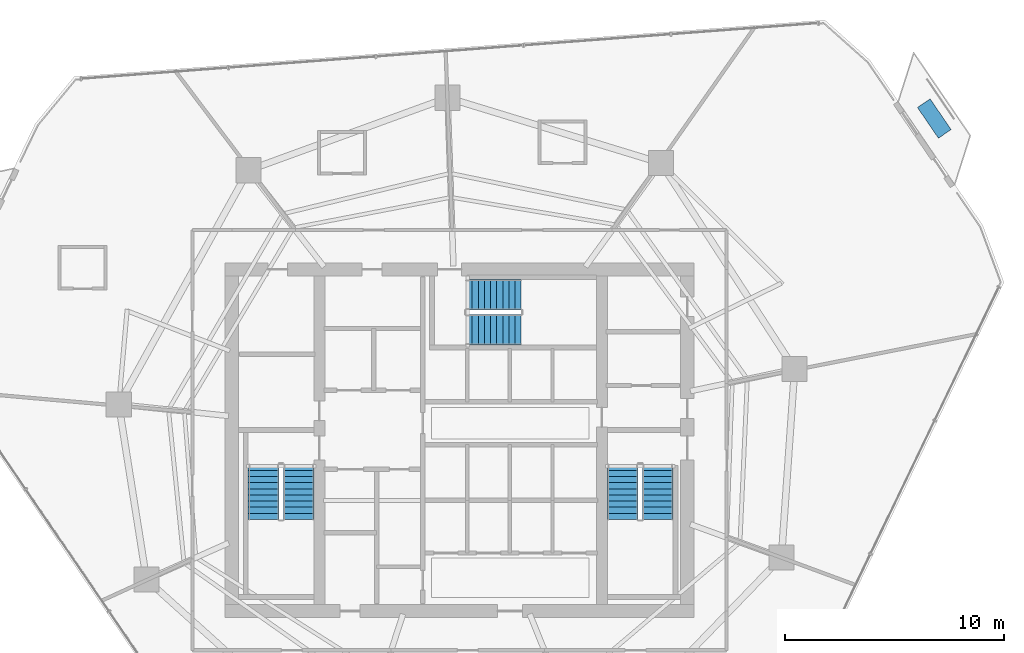
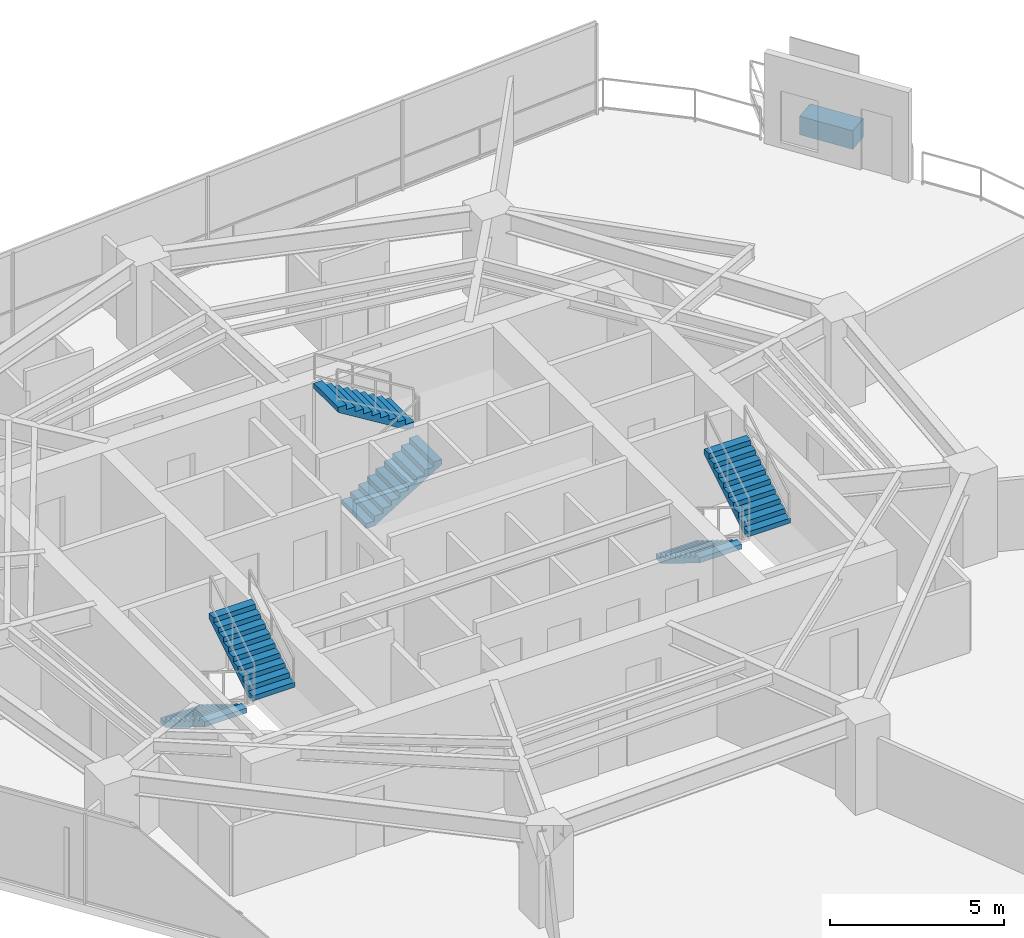
# One storey, part 27 of 30: 6 stair flights, 1 discrete accessory, 3 elements without a shape of their own.
"""IFC4 building model written with IfcOpenShell, lengths in metres."""

from ifc_helpers import new_model, si_unit, direction, frame, origin, origin_2d, place, context, subcontext, project, spatial, polyline, rectangle, outline, extrude, material, type_object, element, aggregate, save


model = new_model("IFC4")

# Units and contexts
model_context = context("Model", 3, precision=1e-05, world=origin(), true_north=direction((0.0, 1.0)))
body_context = subcontext(model_context, "Body", "Model", "MODEL_VIEW")
ifc_project = project(units=[si_unit("LENGTHUNIT", "METRE"), si_unit("AREAUNIT", "SQUARE_METRE"), si_unit("VOLUMEUNIT", "CUBIC_METRE"), si_unit("PLANEANGLEUNIT", "RADIAN"), si_unit("MASSUNIT", "GRAM", prefix="KILO")], contexts=[model_context])

# Site, building, storey
site_placement = place(None, origin())
site = spatial("IfcSite", under=ifc_project, at=site_placement, CompositionType="ELEMENT")
building_placement = place(site_placement, origin())
building = spatial("IfcBuilding", under=site, at=building_placement, Name="Qarnah Convention Tower", CompositionType="ELEMENT")
storey_placement = place(building_placement, frame((0.0, 0.0, 83.25)))
storey = spatial("IfcBuildingStorey", under=building, at=storey_placement, Name="L21", CompositionType="ELEMENT", Elevation=83.25)

# Stair, stair flights
ifc_material_1 = material(Name="Concrete C50/60", Category="concrete")
stair_type = type_object("IfcStairType", Name="STR-HTL", PredefinedType="HALF_TURN_STAIR", material=ifc_material_1)
stair_1_placement = place(storey_placement, origin())
stair_1 = element("IfcStair", 1, at=stair_1_placement, inside=storey, type_object=stair_type, Name="L21 Core exit stair ST-1", PredefinedType="HALF_TURN_STAIR")
stair_flight_type = type_object("IfcStairFlightType", Name="FLT-HTL", PredefinedType="STRAIGHT", material=ifc_material_1)
stair_flight_1_placement = place(storey_placement, frame((28.25, 25.300048828125, 0.0), z_axis=(0.0, 0.0, 1.0), x_axis=(0.0, -1.0, 0.0)))
stair_flight_1 = element("IfcStairFlight", 2, at=stair_flight_1_placement, type_object=stair_flight_type, Name="ST-1 flight 1", NumberOfRisers=10, NumberOfTreads=9, PredefinedType="STRAIGHT", RiserHeight=0.1725, TreadLength=0.28, context=body_context, shape_type="SweptSolid", body=[
    extrude(outline(polyline([(0.0, 0.0), (0.0, 0.172607421875), (0.280029296875, 0.172607421875), (0.280029296875, 0.344970703125), (0.56005859375, 0.344970703125), (0.56005859375, 0.517578125), (0.840087890625, 0.517578125), (0.840087890625, 0.68994140625), (1.1201171875, 0.68994140625), (1.1201171875, 0.862548828125), (1.39990234375, 0.862548828125), (1.39990234375, 1.034912109375), (1.679931640625, 1.034912109375), (1.679931640625, 1.20751953125), (1.9599609375, 1.20751953125), (1.9599609375, 1.3798828125), (2.239990234375, 1.3798828125), (2.239990234375, 1.552490234375), (2.52001953125, 1.552490234375), (2.52001953125, 1.72509765625), (2.52001953125, 1.37646484375), (0.285888671875, 0.0), (0.0, 0.0)])), frame((0.0, 0.699951171875, 0.0), z_axis=(0.0, -1.0, 0.0), x_axis=(1.0, 0.0, 0.0)), (0.0, 0.0, 1.0), 1.39990234375),
])
stair_flight_2_placement = place(storey_placement, frame((29.85009765625, 22.780029296875, 1.72509765625), z_axis=(0.0, 0.0, 1.0), x_axis=(0.0, 1.0, 0.0)))
stair_flight_2 = element("IfcStairFlight", 3, at=stair_flight_2_placement, type_object=stair_flight_type, Name="ST-1 flight 2", NumberOfRisers=10, NumberOfTreads=9, PredefinedType="STRAIGHT", RiserHeight=0.1725, TreadLength=0.28, context=body_context, shape_type="SweptSolid", body=[
    extrude(outline(polyline([(0.0, 0.0), (0.0, 0.172607421875), (0.280029296875, 0.172607421875), (0.280029296875, 0.344970703125), (0.56005859375, 0.344970703125), (0.56005859375, 0.517578125), (0.840087890625, 0.517578125), (0.840087890625, 0.68994140625), (1.1201171875, 0.68994140625), (1.1201171875, 0.862548828125), (1.39990234375, 0.862548828125), (1.39990234375, 1.034912109375), (1.679931640625, 1.034912109375), (1.679931640625, 1.20751953125), (1.9599609375, 1.20751953125), (1.9599609375, 1.3798828125), (2.239990234375, 1.3798828125), (2.239990234375, 1.552490234375), (2.52001953125, 1.552490234375), (2.52001953125, 1.72509765625), (2.52001953125, 1.37646484375), (0.285888671875, 0.0), (0.0, 0.0)])), frame((0.0, 0.699951171875, 0.0), z_axis=(0.0, -1.0, 0.0), x_axis=(1.0, 0.0, 0.0)), (0.0, 0.0, 1.0), 1.39990234375),
])
aggregate(stair_1, [stair_flight_1, stair_flight_2])

stair_2_placement = place(storey_placement, origin())
stair_2 = element("IfcStair", 4, at=stair_2_placement, inside=storey, type_object=stair_type, Name="L21 Core exit stair ST-2", PredefinedType="HALF_TURN_STAIR")
stair_flight_3_placement = place(storey_placement, frame((44.64990234375, 25.300048828125, 0.0), z_axis=(0.0, 0.0, 1.0), x_axis=(0.0, -1.0, 0.0)))
stair_flight_3 = element("IfcStairFlight", 5, at=stair_flight_3_placement, type_object=stair_flight_type, Name="ST-2 flight 1", NumberOfRisers=10, NumberOfTreads=9, PredefinedType="STRAIGHT", RiserHeight=0.1725, TreadLength=0.28, context=body_context, shape_type="SweptSolid", body=[
    extrude(outline(polyline([(0.0, 0.0), (0.0, 0.172607421875), (0.280029296875, 0.172607421875), (0.280029296875, 0.344970703125), (0.56005859375, 0.344970703125), (0.56005859375, 0.517578125), (0.840087890625, 0.517578125), (0.840087890625, 0.68994140625), (1.1201171875, 0.68994140625), (1.1201171875, 0.862548828125), (1.39990234375, 0.862548828125), (1.39990234375, 1.034912109375), (1.679931640625, 1.034912109375), (1.679931640625, 1.20751953125), (1.9599609375, 1.20751953125), (1.9599609375, 1.3798828125), (2.239990234375, 1.3798828125), (2.239990234375, 1.552490234375), (2.52001953125, 1.552490234375), (2.52001953125, 1.72509765625), (2.52001953125, 1.37646484375), (0.285888671875, 0.0), (0.0, 0.0)])), frame((0.0, 0.699951171875, 0.0), z_axis=(0.0, -1.0, 0.0), x_axis=(1.0, 0.0, 0.0)), (0.0, 0.0, 1.0), 1.39990234375),
])
stair_flight_4_placement = place(storey_placement, frame((46.25, 22.780029296875, 1.72509765625), z_axis=(0.0, 0.0, 1.0), x_axis=(0.0, 1.0, 0.0)))
stair_flight_4 = element("IfcStairFlight", 6, at=stair_flight_4_placement, type_object=stair_flight_type, Name="ST-2 flight 2", NumberOfRisers=10, NumberOfTreads=9, PredefinedType="STRAIGHT", RiserHeight=0.1725, TreadLength=0.28, context=body_context, shape_type="SweptSolid", body=[
    extrude(outline(polyline([(0.0, 0.0), (0.0, 0.172607421875), (0.280029296875, 0.172607421875), (0.280029296875, 0.344970703125), (0.56005859375, 0.344970703125), (0.56005859375, 0.517578125), (0.840087890625, 0.517578125), (0.840087890625, 0.68994140625), (1.1201171875, 0.68994140625), (1.1201171875, 0.862548828125), (1.39990234375, 0.862548828125), (1.39990234375, 1.034912109375), (1.679931640625, 1.034912109375), (1.679931640625, 1.20751953125), (1.9599609375, 1.20751953125), (1.9599609375, 1.3798828125), (2.239990234375, 1.3798828125), (2.239990234375, 1.552490234375), (2.52001953125, 1.552490234375), (2.52001953125, 1.72509765625), (2.52001953125, 1.37646484375), (0.285888671875, 0.0), (0.0, 0.0)])), frame((0.0, 0.699951171875, 0.0), z_axis=(0.0, -1.0, 0.0), x_axis=(1.0, 0.0, 0.0)), (0.0, 0.0, 1.0), 1.39990234375),
])
aggregate(stair_2, [stair_flight_3, stair_flight_4])

stair_3_placement = place(storey_placement, origin())
stair_3 = element("IfcStair", 7, at=stair_3_placement, inside=storey, type_object=stair_type, Name="L21 Core exit stair ST-3", PredefinedType="HALF_TURN_STAIR")
stair_flight_5_placement = place(storey_placement, frame((37.5, 31.449951171875, 0.0), z_axis=(0.0, 0.0, 1.0), x_axis=(1.0, 0.0, 0.0)))
stair_flight_5 = element("IfcStairFlight", 8, at=stair_flight_5_placement, type_object=stair_flight_type, Name="ST-3 flight 1", NumberOfRisers=10, NumberOfTreads=9, PredefinedType="STRAIGHT", RiserHeight=0.1725, TreadLength=0.28, context=body_context, shape_type="SweptSolid", body=[
    extrude(outline(polyline([(0.0, 0.0), (0.0, 0.172607421875), (0.280029296875, 0.172607421875), (0.280029296875, 0.344970703125), (0.56005859375, 0.344970703125), (0.56005859375, 0.517578125), (0.840087890625, 0.517578125), (0.840087890625, 0.68994140625), (1.1201171875, 0.68994140625), (1.1201171875, 0.862548828125), (1.39990234375, 0.862548828125), (1.39990234375, 1.034912109375), (1.679931640625, 1.034912109375), (1.679931640625, 1.20751953125), (1.9599609375, 1.20751953125), (1.9599609375, 1.3798828125), (2.239990234375, 1.3798828125), (2.239990234375, 1.552490234375), (2.52001953125, 1.552490234375), (2.52001953125, 1.72509765625), (2.52001953125, 1.37646484375), (0.285888671875, 0.0), (0.0, 0.0)])), frame((0.0, 0.699951171875, 0.0), z_axis=(0.0, -1.0, 0.0), x_axis=(1.0, 0.0, 0.0)), (0.0, 0.0, 1.0), 1.39990234375),
])
stair_flight_6_placement = place(storey_placement, frame((40.02001953125, 33.050048828125, 1.72509765625), z_axis=(0.0, 0.0, 1.0), x_axis=(-1.0, 0.0, 0.0)))
stair_flight_6 = element("IfcStairFlight", 9, at=stair_flight_6_placement, type_object=stair_flight_type, Name="ST-3 flight 2", NumberOfRisers=10, NumberOfTreads=9, PredefinedType="STRAIGHT", RiserHeight=0.1725, TreadLength=0.28, context=body_context, shape_type="SweptSolid", body=[
    extrude(outline(polyline([(0.0, 0.0), (0.0, 0.172607421875), (0.280029296875, 0.172607421875), (0.280029296875, 0.344970703125), (0.56005859375, 0.344970703125), (0.56005859375, 0.517578125), (0.840087890625, 0.517578125), (0.840087890625, 0.68994140625), (1.1201171875, 0.68994140625), (1.1201171875, 0.862548828125), (1.39990234375, 0.862548828125), (1.39990234375, 1.034912109375), (1.679931640625, 1.034912109375), (1.679931640625, 1.20751953125), (1.9599609375, 1.20751953125), (1.9599609375, 1.3798828125), (2.239990234375, 1.3798828125), (2.239990234375, 1.552490234375), (2.52001953125, 1.552490234375), (2.52001953125, 1.72509765625), (2.52001953125, 1.37646484375), (0.285888671875, 0.0), (0.0, 0.0)])), frame((0.0, 0.699951171875, 0.0), z_axis=(0.0, -1.0, 0.0), x_axis=(1.0, 0.0, 0.0)), (0.0, 0.0, 1.0), 1.39990234375),
])
aggregate(stair_3, [stair_flight_5, stair_flight_6])

# Discrete accessory
ifc_material_2 = material(Name="Precast concrete C45/55", Category="concrete")
discrete_accessory_type = type_object("IfcDiscreteAccessoryType", Name="ACC-PLANTER-900", PredefinedType="USERDEFINED", material=ifc_material_2)
discrete_accessory_placement = place(storey_placement, frame((58.885986328125, 41.093994140625, 0.0), z_axis=(0.0, 0.0, 1.0), x_axis=(-0.563958515726, 0.82580311972, 0.0)))
element("IfcDiscreteAccessory", 10, at=discrete_accessory_placement, inside=storey, type_object=discrete_accessory_type, Name="L21 irrigated desert balcony PLANTER BAL-L21-C1", ObjectType="PLANTER", PredefinedType="USERDEFINED", context=body_context, shape_type="SweptSolid", body=[
    extrude(rectangle(XDim=1.699951171875, YDim=0.699951171875, at=origin_2d()), origin(), (0.0, 0.0, 1.0), 0.64990234375),
])

save(model, "model.ifc")
